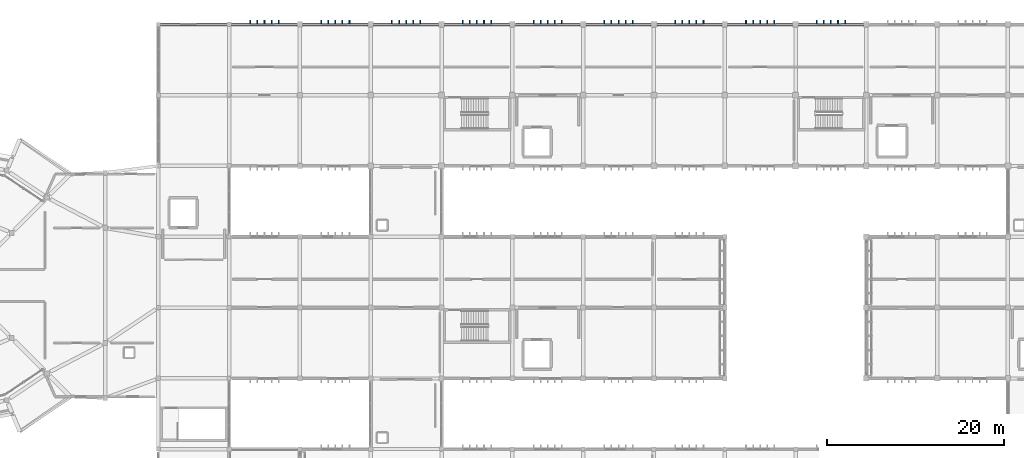
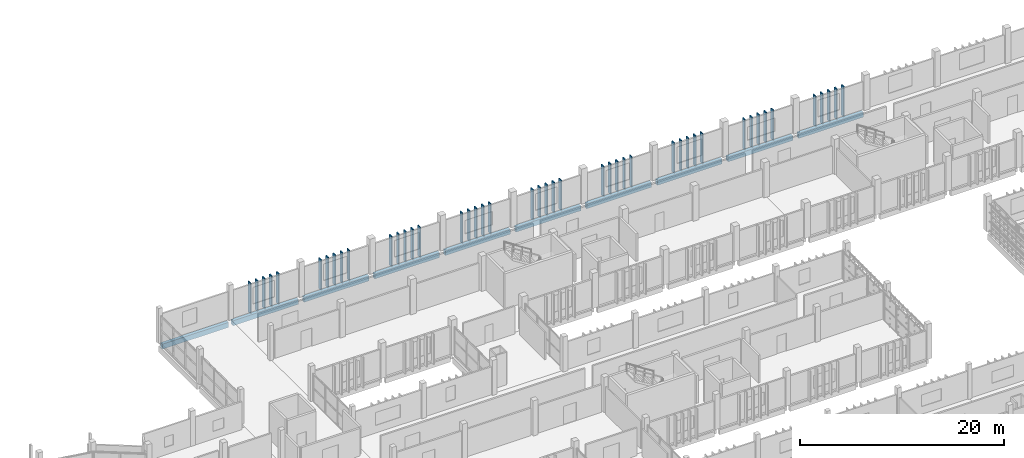
# One storey, part 26 of 63: 45 members, 10 beams.
"""IFC4 building model written with IfcOpenShell, lengths in metres."""

from ifc_helpers import new_model, si_unit, direction, frame, origin, origin_2d, place, context, subcontext, project, spatial, rectangle, extrude, material, material_profile, profile_set, type_object, element, save


model = new_model("IFC4")

# Units and contexts
model_context = context("Model", 3, precision=1e-05, world=origin(), true_north=direction((0.0, 1.0)))
body_context = subcontext(model_context, "Body", "Model", "MODEL_VIEW")
ifc_project = project(units=[si_unit("LENGTHUNIT", "METRE"), si_unit("AREAUNIT", "SQUARE_METRE"), si_unit("VOLUMEUNIT", "CUBIC_METRE"), si_unit("PLANEANGLEUNIT", "RADIAN"), si_unit("MASSUNIT", "GRAM", prefix="KILO")], contexts=[model_context])

# Site, building, storey
site_placement = place(None, origin())
site = spatial("IfcSite", under=ifc_project, at=site_placement, CompositionType="ELEMENT")
building_placement = place(site_placement, origin())
building = spatial("IfcBuilding", under=site, at=building_placement, Name="Jelvoka-Kovrelna Polytechnic", CompositionType="ELEMENT")
storey_placement = place(building_placement, frame((0.0, 0.0, 18.0)))
storey = spatial("IfcBuildingStorey", under=building, at=storey_placement, Name="L05", CompositionType="ELEMENT", Elevation=18.0)

# Members
ifc_material_1 = material(Name="Precast concrete C40/50", Category="concrete")
ifc_material_profile_1 = material_profile(ifc_material_1, rectangle(XDim=0.1201171875, YDim=0.449951171875, at=origin_2d()), Name="PC 120x450")
ifc_profile_set_1 = profile_set([ifc_material_profile_1], Name="Precast concrete C40/50")
member_type = type_object("IfcMemberType", Name="Louvre_Fin_120x450", PredefinedType="USERDEFINED", material=ifc_profile_set_1)
for number, where, z_axis, x_axis, name in (
    (1, (58.39990234375, 72.264892578125, -0.27001953125), (0.0, 0.0, 1.0), (1.0, 0.0, 0.0), "L05 B3 north vertical solar louvre fin 1786"),
    (2, (59.199951171875, 72.264892578125, -0.27001953125), (0.0, 0.0, 1.0), (1.0, 0.0, 0.0), "L05 B3 north vertical solar louvre fin 1787"),
    (3, (60.0, 72.264892578125, -0.27001953125), (0.0, 0.0, 1.0), (1.0, 0.0, 0.0), "L05 B3 north vertical solar louvre fin 1788"),
    (4, (60.800048828125, 72.264892578125, -0.27001953125), (0.0, 0.0, 1.0), (1.0, 0.0, 0.0), "L05 B3 north vertical solar louvre fin 1789"),
    (5, (61.60009765625, 72.264892578125, -0.27001953125), (0.0, 0.0, 1.0), (1.0, 0.0, 0.0), "L05 B3 north vertical solar louvre fin 1790"),
):
    element("IfcMember", number, at=place(storey_placement, frame(where, z_axis=z_axis, x_axis=x_axis)), inside=storey, type_object=member_type, Name=name, ObjectType="SUNSHADE", PredefinedType="USERDEFINED", context=body_context, shape_type="SweptSolid", body=[
        extrude(rectangle(XDim=0.1201171875, YDim=0.449951171875, at=origin_2d()), origin(), (0.0, 0.0, 1.0), 3.669921875),
    ])
for number, where, z_axis, x_axis, name in (
    (6, (66.39990234375, 72.264892578125, -0.27001953125), (0.0, 0.0, 1.0), (1.0, 0.0, 0.0), "L05 B3 north vertical solar louvre fin 1796"),
    (7, (67.199951171875, 72.264892578125, -0.27001953125), (0.0, 0.0, 1.0), (1.0, 0.0, 0.0), "L05 B3 north vertical solar louvre fin 1797"),
    (8, (68.0, 72.264892578125, -0.27001953125), (0.0, 0.0, 1.0), (1.0, 0.0, 0.0), "L05 B3 north vertical solar louvre fin 1798"),
    (9, (68.800048828125, 72.264892578125, -0.27001953125), (0.0, 0.0, 1.0), (1.0, 0.0, 0.0), "L05 B3 north vertical solar louvre fin 1799"),
    (10, (69.60009765625, 72.264892578125, -0.27001953125), (0.0, 0.0, 1.0), (1.0, 0.0, 0.0), "L05 B3 north vertical solar louvre fin 1800"),
    (11, (74.39990234375, 72.264892578125, -0.27001953125), (0.0, 0.0, 1.0), (1.0, 0.0, 0.0), "L05 B3 north vertical solar louvre fin 1801"),
    (12, (75.199951171875, 72.264892578125, -0.27001953125), (0.0, 0.0, 1.0), (1.0, 0.0, 0.0), "L05 B3 north vertical solar louvre fin 1802"),
    (13, (76.0, 72.264892578125, -0.27001953125), (0.0, 0.0, 1.0), (1.0, 0.0, 0.0), "L05 B3 north vertical solar louvre fin 1803"),
    (14, (76.800048828125, 72.264892578125, -0.27001953125), (0.0, 0.0, 1.0), (1.0, 0.0, 0.0), "L05 B3 north vertical solar louvre fin 1804"),
    (15, (77.60009765625, 72.264892578125, -0.27001953125), (0.0, 0.0, 1.0), (1.0, 0.0, 0.0), "L05 B3 north vertical solar louvre fin 1805"),
    (16, (82.39990234375, 72.264892578125, -0.27001953125), (0.0, 0.0, 1.0), (1.0, 0.0, 0.0), "L05 B3 north vertical solar louvre fin 1811"),
    (17, (83.199951171875, 72.264892578125, -0.27001953125), (0.0, 0.0, 1.0), (1.0, 0.0, 0.0), "L05 B3 north vertical solar louvre fin 1812"),
    (18, (84.0, 72.264892578125, -0.27001953125), (0.0, 0.0, 1.0), (1.0, 0.0, 0.0), "L05 B3 north vertical solar louvre fin 1813"),
    (19, (84.800048828125, 72.264892578125, -0.27001953125), (0.0, 0.0, 1.0), (1.0, 0.0, 0.0), "L05 B3 north vertical solar louvre fin 1814"),
    (20, (85.60009765625, 72.264892578125, -0.27001953125), (0.0, 0.0, 1.0), (1.0, 0.0, 0.0), "L05 B3 north vertical solar louvre fin 1815"),
    (21, (90.39990234375, 72.264892578125, -0.27001953125), (0.0, 0.0, 1.0), (1.0, 0.0, 0.0), "L05 B3 north vertical solar louvre fin 1821"),
    (22, (91.199951171875, 72.264892578125, -0.27001953125), (0.0, 0.0, 1.0), (1.0, 0.0, 0.0), "L05 B3 north vertical solar louvre fin 1822"),
    (23, (92.0, 72.264892578125, -0.27001953125), (0.0, 0.0, 1.0), (1.0, 0.0, 0.0), "L05 B3 north vertical solar louvre fin 1823"),
    (24, (92.800048828125, 72.264892578125, -0.27001953125), (0.0, 0.0, 1.0), (1.0, 0.0, 0.0), "L05 B3 north vertical solar louvre fin 1824"),
    (25, (93.60009765625, 72.264892578125, -0.27001953125), (0.0, 0.0, 1.0), (1.0, 0.0, 0.0), "L05 B3 north vertical solar louvre fin 1825"),
    (26, (98.39990234375, 72.264892578125, -0.27001953125), (0.0, 0.0, 1.0), (1.0, 0.0, 0.0), "L05 B3 north vertical solar louvre fin 1831"),
    (27, (99.199951171875, 72.264892578125, -0.27001953125), (0.0, 0.0, 1.0), (1.0, 0.0, 0.0), "L05 B3 north vertical solar louvre fin 1832"),
    (28, (100.0, 72.264892578125, -0.27001953125), (0.0, 0.0, 1.0), (1.0, 0.0, 0.0), "L05 B3 north vertical solar louvre fin 1833"),
    (29, (100.800048828125, 72.264892578125, -0.27001953125), (0.0, 0.0, 1.0), (1.0, 0.0, 0.0), "L05 B3 north vertical solar louvre fin 1834"),
    (30, (101.60009765625, 72.264892578125, -0.27001953125), (0.0, 0.0, 1.0), (1.0, 0.0, 0.0), "L05 B3 north vertical solar louvre fin 1835"),
    (31, (106.39990234375, 72.264892578125, -0.27001953125), (0.0, 0.0, 1.0), (1.0, 0.0, 0.0), "L05 B3 north vertical solar louvre fin 1841"),
    (32, (107.199951171875, 72.264892578125, -0.27001953125), (0.0, 0.0, 1.0), (1.0, 0.0, 0.0), "L05 B3 north vertical solar louvre fin 1842"),
    (33, (108.0, 72.264892578125, -0.27001953125), (0.0, 0.0, 1.0), (1.0, 0.0, 0.0), "L05 B3 north vertical solar louvre fin 1843"),
    (34, (108.800048828125, 72.264892578125, -0.27001953125), (0.0, 0.0, 1.0), (1.0, 0.0, 0.0), "L05 B3 north vertical solar louvre fin 1844"),
    (35, (109.60009765625, 72.264892578125, -0.27001953125), (0.0, 0.0, 1.0), (1.0, 0.0, 0.0), "L05 B3 north vertical solar louvre fin 1845"),
    (36, (114.39990234375, 72.264892578125, -0.27001953125), (0.0, 0.0, 1.0), (1.0, 0.0, 0.0), "L05 B3 north vertical solar louvre fin 1851"),
    (37, (115.199951171875, 72.264892578125, -0.27001953125), (0.0, 0.0, 1.0), (1.0, 0.0, 0.0), "L05 B3 north vertical solar louvre fin 1852"),
    (38, (116.0, 72.264892578125, -0.27001953125), (0.0, 0.0, 1.0), (1.0, 0.0, 0.0), "L05 B3 north vertical solar louvre fin 1853"),
    (39, (116.800048828125, 72.264892578125, -0.27001953125), (0.0, 0.0, 1.0), (1.0, 0.0, 0.0), "L05 B3 north vertical solar louvre fin 1854"),
    (40, (117.60009765625, 72.264892578125, -0.27001953125), (0.0, 0.0, 1.0), (1.0, 0.0, 0.0), "L05 B3 north vertical solar louvre fin 1855"),
    (41, (122.39990234375, 72.264892578125, -0.27001953125), (0.0, 0.0, 1.0), (1.0, 0.0, 0.0), "L05 B3 north vertical solar louvre fin 1861"),
    (42, (123.199951171875, 72.264892578125, -0.27001953125), (0.0, 0.0, 1.0), (1.0, 0.0, 0.0), "L05 B3 north vertical solar louvre fin 1862"),
    (43, (124.0, 72.264892578125, -0.27001953125), (0.0, 0.0, 1.0), (1.0, 0.0, 0.0), "L05 B3 north vertical solar louvre fin 1863"),
    (44, (124.800048828125, 72.264892578125, -0.27001953125), (0.0, 0.0, 1.0), (1.0, 0.0, 0.0), "L05 B3 north vertical solar louvre fin 1864"),
    (45, (125.60009765625, 72.264892578125, -0.27001953125), (0.0, 0.0, 1.0), (1.0, 0.0, 0.0), "L05 B3 north vertical solar louvre fin 1865"),
):
    element("IfcMember", number, at=place(storey_placement, frame(where, z_axis=z_axis, x_axis=x_axis)), inside=storey, type_object=member_type, Name=name, ObjectType="SUNSHADE", PredefinedType="USERDEFINED", context=body_context, shape_type="SweptSolid", body=[
        extrude(rectangle(XDim=0.1201171875, YDim=0.449951171875, at=origin_2d()), origin(), (0.0, 0.0, 1.0), 3.655029296875),
    ])

# Beams
ifc_material_2 = material(Name="Concrete C40/50", Category="concrete")
ifc_material_profile_2 = material_profile(ifc_material_2, rectangle(XDim=0.35009765625, YDim=0.60009765625, at=origin_2d()), Name="RC 350x600")
ifc_profile_set_2 = profile_set([ifc_material_profile_2], Name="Concrete C40/50")
beam_type = type_object("IfcBeamType", Name="Spandrel_RC_350x600", PredefinedType="SPANDREL", material=ifc_profile_set_2)
beam_1_placement = place(storey_placement, frame((56.2548828125, 72.0, -0.550048828125), z_axis=(1.0, 0.0, 0.0), x_axis=(0.0, 1.0, 0.0)))
element("IfcBeam", 46, at=beam_1_placement, inside=storey, type_object=beam_type, Name="L05 beam 1518", PredefinedType="SPANDREL", context=body_context, shape_type="SweptSolid", body=[
    extrude(rectangle(XDim=0.35009765625, YDim=0.60009765625, at=origin_2d()), origin(), (0.0, 0.0, 1.0), 7.440185546875),
])
beam_2_placement = place(storey_placement, frame((64.304931640625, 72.0, -0.550048828125), z_axis=(1.0, 0.0, 0.0), x_axis=(0.0, 1.0, 0.0)))
element("IfcBeam", 47, at=beam_2_placement, inside=storey, type_object=beam_type, Name="L05 beam 1519", PredefinedType="SPANDREL", context=body_context, shape_type="SweptSolid", body=[
    extrude(rectangle(XDim=0.35009765625, YDim=0.60009765625, at=origin_2d()), origin(), (0.0, 0.0, 1.0), 7.364990234375),
])
for number, where, z_axis, x_axis, name in (
    (48, (72.330078125, 72.0, -0.550048828125), (1.0, 0.0, 0.0), (0.0, 1.0, 0.0), "L05 beam 1520"),
    (49, (80.330078125, 72.0, -0.550048828125), (1.0, 0.0, 0.0), (0.0, 1.0, 0.0), "L05 beam 1521"),
    (50, (88.330078125, 72.0, -0.550048828125), (1.0, 0.0, 0.0), (0.0, 1.0, 0.0), "L05 beam 1522"),
    (51, (96.330078125, 72.0, -0.550048828125), (1.0, 0.0, 0.0), (0.0, 1.0, 0.0), "L05 beam 1523"),
    (52, (104.330078125, 72.0, -0.550048828125), (1.0, 0.0, 0.0), (0.0, 1.0, 0.0), "L05 beam 1524"),
    (53, (112.330078125, 72.0, -0.550048828125), (1.0, 0.0, 0.0), (0.0, 1.0, 0.0), "L05 beam 1559"),
    (54, (120.330078125, 72.0, -0.550048828125), (1.0, 0.0, 0.0), (0.0, 1.0, 0.0), "L05 beam 1560"),
):
    element("IfcBeam", number, at=place(storey_placement, frame(where, z_axis=z_axis, x_axis=x_axis)), inside=storey, type_object=beam_type, Name=name, PredefinedType="SPANDREL", context=body_context, shape_type="SweptSolid", body=[
        extrude(rectangle(XDim=0.35009765625, YDim=0.60009765625, at=origin_2d()), origin(), (0.0, 0.0, 1.0), 7.33984375),
    ])
beam_3_placement = place(storey_placement, frame((48.2548828125, 72.0, -0.550048828125), z_axis=(1.0, 0.0, 0.0), x_axis=(0.0, 1.0, 0.0)))
element("IfcBeam", 55, at=beam_3_placement, inside=storey, type_object=beam_type, Name="L05 beam 1596", PredefinedType="SPANDREL", context=body_context, shape_type="SweptSolid", body=[
    extrude(rectangle(XDim=0.35009765625, YDim=0.60009765625, at=origin_2d()), origin(), (0.0, 0.0, 1.0), 7.490234375),
])

save(model, "model.ifc")
